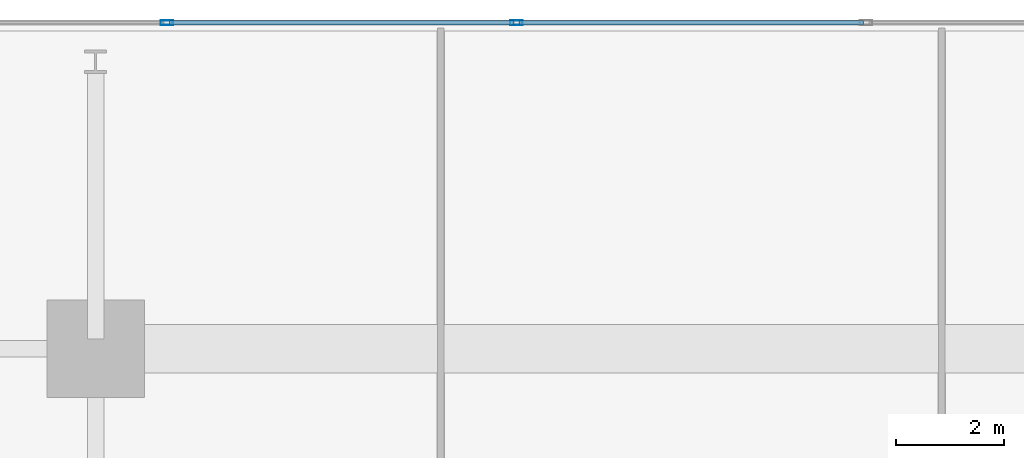
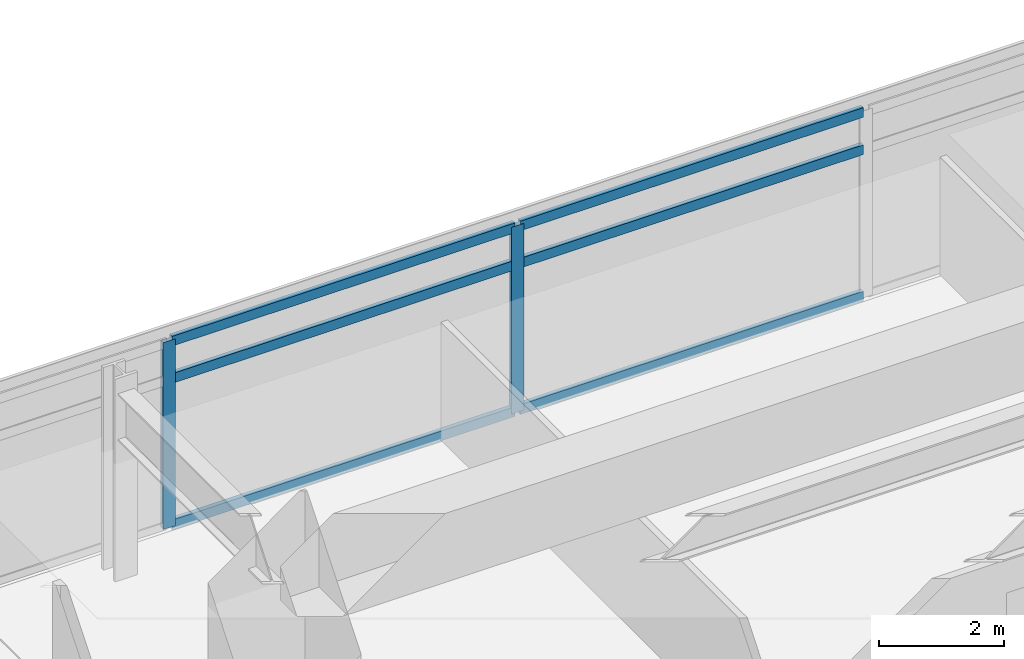
# One storey, part 10 of 23: 8 members, 1 element without a shape of its own.
"""IFC4 building model written with IfcOpenShell, lengths in metres."""

from ifc_helpers import new_model, si_unit, direction, frame, origin, origin_2d, place, context, subcontext, project, spatial, hollow_rectangle, extrude, material, material_profile, profile_set, type_object, element, aggregate, save


model = new_model("IFC4")

# Units and contexts
model_context = context("Model", 3, precision=1e-05, world=origin(), true_north=direction((0.0, 1.0)))
body_context = subcontext(model_context, "Body", "Model", "MODEL_VIEW")
ifc_project = project(units=[si_unit("LENGTHUNIT", "METRE"), si_unit("AREAUNIT", "SQUARE_METRE"), si_unit("VOLUMEUNIT", "CUBIC_METRE"), si_unit("PLANEANGLEUNIT", "RADIAN"), si_unit("MASSUNIT", "GRAM", prefix="KILO")], contexts=[model_context])

# Site, building, storey
site_placement = place(None, origin())
site = spatial("IfcSite", under=ifc_project, at=site_placement, CompositionType="ELEMENT")
building_placement = place(site_placement, origin())
building = spatial("IfcBuilding", under=site, at=building_placement, Name="Kovane Verandah Tower", CompositionType="ELEMENT")
storey_placement = place(building_placement, frame((0.0, 0.0, 103.60009765625)))
storey = spatial("IfcBuildingStorey", under=building, at=storey_placement, Name="L24", CompositionType="ELEMENT", Elevation=103.60009765625)

# Curtain wall, members
ifc_material_1 = material(Name="Champagne Anodised Aluminium Frame with Low-E Clear Laminated Glass", Category="aluminium")
curtain_wall_type = type_object("IfcCurtainWallType", Name="CW-SYS-02-LOW", PredefinedType="NOTDEFINED", material=ifc_material_1)
curtain_wall_placement = place(storey_placement, origin())
curtain_wall = element("IfcCurtainWall", 1, at=curtain_wall_placement, inside=storey, type_object=curtain_wall_type, Name="L24 N Unitised Curtain Wall", PredefinedType="NOTDEFINED")
ifc_material_2 = material(Name="Champagne Anodised Aluminium 6063-T6", Category="aluminium")
ifc_material_profile_1 = material_profile(ifc_material_2, hollow_rectangle(XDim=0.0849609375, YDim=0.22998046875, WallThickness=0.00390625, at=origin_2d()), Name="AL85x230x4")
ifc_profile_set_1 = profile_set([ifc_material_profile_1], Name="Champagne Anodised Aluminium 6063-T6")
member_type_1 = type_object("IfcMemberType", Name="CW-MUL-85x230", PredefinedType="MULLION", material=ifc_profile_set_1)
member_1_placement = place(storey_placement, frame((36.771484375, 50.218994140625, 0.02001953125), z_axis=(0.0, 0.0, 1.0), x_axis=(0.0, 1.0, 0.0)))
member_1 = element("IfcMember", 2, at=member_1_placement, type_object=member_type_1, Name="L24 N Unitised Curtain Wall Mullion 5", PredefinedType="MULLION", context=body_context, shape_type="SweptSolid", body=[
    extrude(hollow_rectangle(XDim=0.0849609375, YDim=0.22998046875, WallThickness=0.00390625, at=origin_2d()), origin(), (0.0, 0.0, 1.0), 3.659912109375),
])
member_2_placement = place(storey_placement, frame((30.31494140625, 50.218994140625, 0.02001953125), z_axis=(0.0, 0.0, 1.0), x_axis=(0.0, 1.0, 0.0)))
member_2 = element("IfcMember", 3, at=member_2_placement, type_object=member_type_1, Name="L24 N Unitised Curtain Wall Mullion 6", PredefinedType="MULLION", context=body_context, shape_type="SweptSolid", body=[
    extrude(hollow_rectangle(XDim=0.0849609375, YDim=0.22998046875, WallThickness=0.00390625, at=origin_2d()), origin(), (0.0, 0.0, 1.0), 3.659912109375),
])
ifc_material_profile_2 = material_profile(ifc_material_2, hollow_rectangle(XDim=0.0849609375, YDim=0.18994140625, WallThickness=0.00390625, at=origin_2d()), Name="AL85x190x4")
ifc_profile_set_2 = profile_set([ifc_material_profile_2], Name="Champagne Anodised Aluminium 6063-T6")
member_type_2 = type_object("IfcMemberType", Name="CW-TRN-85x190", PredefinedType="USERDEFINED", material=ifc_profile_set_2)
member_3_placement = place(storey_placement, frame((43.178466796875, 50.218994140625, 0.0498046875), z_axis=(-1.0, 0.0, 0.0), x_axis=(0.0, -1.0, 0.0)))
member_3 = element("IfcMember", 4, at=member_3_placement, type_object=member_type_2, Name="L24 N Unitised Curtain Wall Transom TB Bay 4", ObjectType="TRANSOM", PredefinedType="USERDEFINED", context=body_context, shape_type="SweptSolid", body=[
    extrude(hollow_rectangle(XDim=0.0849609375, YDim=0.18994140625, WallThickness=0.00390625, at=origin_2d()), origin(), (0.0, 0.0, 1.0), 6.35693359375),
])
member_4_placement = place(storey_placement, frame((43.178466796875, 50.218994140625, 2.919921875), z_axis=(-1.0, 0.0, 0.0), x_axis=(0.0, -1.0, 0.0)))
member_4 = element("IfcMember", 5, at=member_4_placement, type_object=member_type_2, Name="L24 N Unitised Curtain Wall Transom TM Bay 4", ObjectType="TRANSOM", PredefinedType="USERDEFINED", context=body_context, shape_type="SweptSolid", body=[
    extrude(hollow_rectangle(XDim=0.0849609375, YDim=0.18994140625, WallThickness=0.00390625, at=origin_2d()), origin(), (0.0, 0.0, 1.0), 6.35693359375),
])
member_5_placement = place(storey_placement, frame((43.178466796875, 50.218994140625, 3.64990234375), z_axis=(-1.0, 0.0, 0.0), x_axis=(0.0, -1.0, 0.0)))
member_5 = element("IfcMember", 6, at=member_5_placement, type_object=member_type_2, Name="L24 N Unitised Curtain Wall Transom TT Bay 4", ObjectType="TRANSOM", PredefinedType="USERDEFINED", context=body_context, shape_type="SweptSolid", body=[
    extrude(hollow_rectangle(XDim=0.0849609375, YDim=0.18994140625, WallThickness=0.00390625, at=origin_2d()), origin(), (0.0, 0.0, 1.0), 6.35693359375),
])
member_6_placement = place(storey_placement, frame((36.7216796875, 50.218994140625, 0.0498046875), z_axis=(-1.0, 0.0, 0.0), x_axis=(0.0, -1.0, 0.0)))
member_6 = element("IfcMember", 7, at=member_6_placement, type_object=member_type_2, Name="L24 N Unitised Curtain Wall Transom TB Bay 5", ObjectType="TRANSOM", PredefinedType="USERDEFINED", context=body_context, shape_type="SweptSolid", body=[
    extrude(hollow_rectangle(XDim=0.0849609375, YDim=0.18994140625, WallThickness=0.00390625, at=origin_2d()), origin(), (0.0, 0.0, 1.0), 6.356689453125),
])
member_7_placement = place(storey_placement, frame((36.7216796875, 50.218994140625, 2.919921875), z_axis=(-1.0, 0.0, 0.0), x_axis=(0.0, -1.0, 0.0)))
member_7 = element("IfcMember", 8, at=member_7_placement, type_object=member_type_2, Name="L24 N Unitised Curtain Wall Transom TM Bay 5", ObjectType="TRANSOM", PredefinedType="USERDEFINED", context=body_context, shape_type="SweptSolid", body=[
    extrude(hollow_rectangle(XDim=0.0849609375, YDim=0.18994140625, WallThickness=0.00390625, at=origin_2d()), origin(), (0.0, 0.0, 1.0), 6.356689453125),
])
member_8_placement = place(storey_placement, frame((36.7216796875, 50.218994140625, 3.64990234375), z_axis=(-1.0, 0.0, 0.0), x_axis=(0.0, -1.0, 0.0)))
member_8 = element("IfcMember", 9, at=member_8_placement, type_object=member_type_2, Name="L24 N Unitised Curtain Wall Transom TT Bay 5", ObjectType="TRANSOM", PredefinedType="USERDEFINED", context=body_context, shape_type="SweptSolid", body=[
    extrude(hollow_rectangle(XDim=0.0849609375, YDim=0.18994140625, WallThickness=0.00390625, at=origin_2d()), origin(), (0.0, 0.0, 1.0), 6.356689453125),
])
aggregate(curtain_wall, [member_1, member_2, member_3, member_4, member_5, member_6, member_7, member_8])

save(model, "model.ifc")
